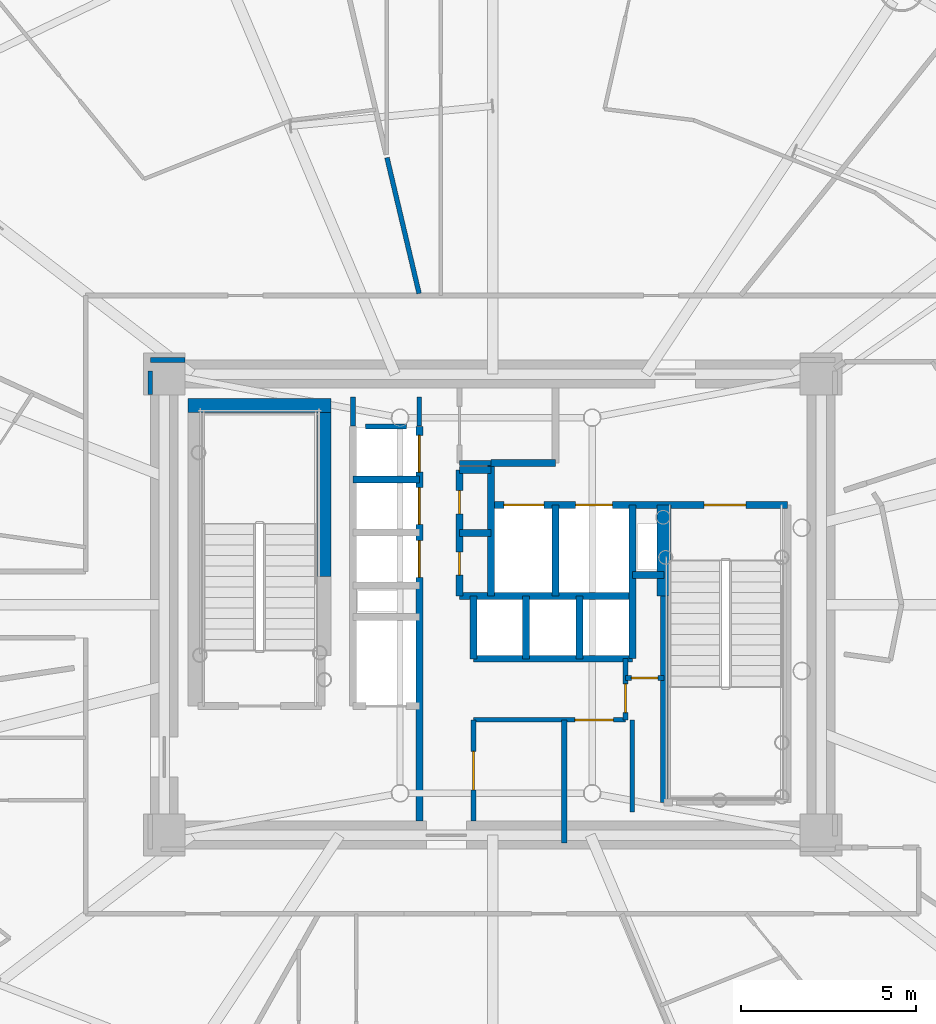
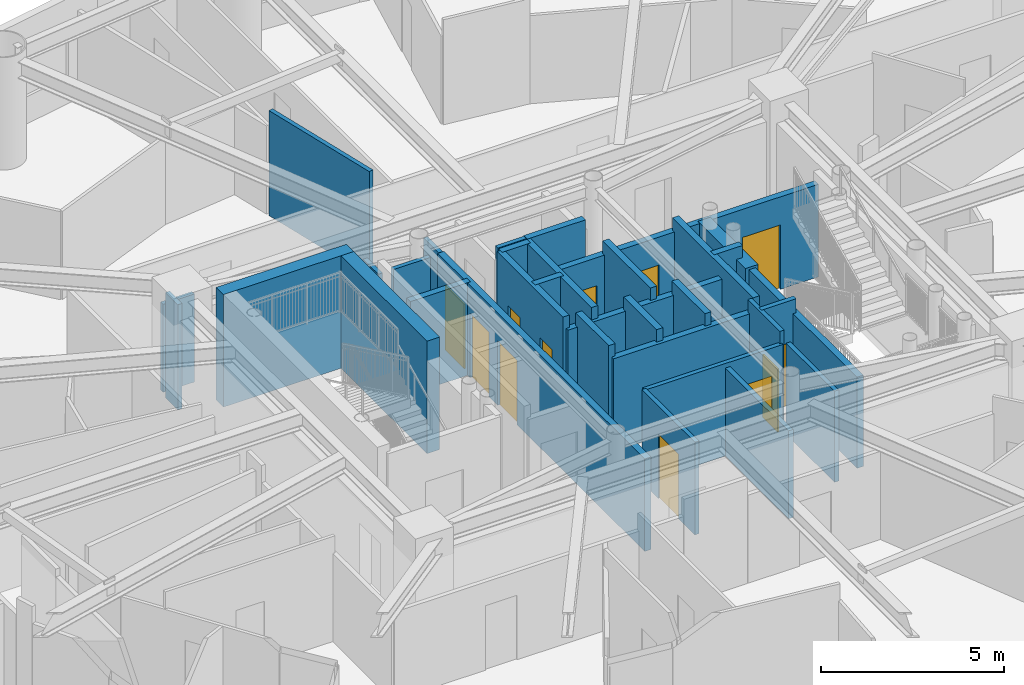
# One storey, part 11 of 21: 33 walls, 12 doors, 12 openings.
"""IFC4 building model written with IfcOpenShell, lengths in metres."""

from ifc_helpers import new_model, si_unit, direction, frame, frame_2d, origin, origin_2d, place, context, subcontext, project, spatial, rectangle, extrude, source, transform, mapped, material, layer, layer_set, type_object, element, fill, save


model = new_model("IFC4")

# Units and contexts
model_context = context("Model", 3, precision=1e-05, world=origin(), true_north=direction((0.0, 1.0)))
body_context = subcontext(model_context, "Body", "Model", "MODEL_VIEW")
ifc_project = project(units=[si_unit("LENGTHUNIT", "METRE"), si_unit("AREAUNIT", "SQUARE_METRE"), si_unit("VOLUMEUNIT", "CUBIC_METRE"), si_unit("PLANEANGLEUNIT", "RADIAN"), si_unit("MASSUNIT", "GRAM", prefix="KILO")], contexts=[model_context])

# Site, building, storey
site_placement = place(None, origin())
site = spatial("IfcSite", under=ifc_project, at=site_placement, CompositionType="ELEMENT")
building_placement = place(site_placement, origin())
building = spatial("IfcBuilding", under=site, at=building_placement, Name="Linh Dai School and Residence Tower", CompositionType="ELEMENT")
storey_placement = place(building_placement, frame((0.0, 0.0, 156.14990234375)))
storey = spatial("IfcBuildingStorey", under=building, at=storey_placement, Name="L37", CompositionType="ELEMENT", Elevation=156.14990234375)

# Walls
ifc_material_1 = material(Name="Autoclaved Aerated Concrete Blockwork", Category="masonry")
ifc_layer_1 = layer(ifc_material_1, 0.135009765625)
ifc_layer_set_1 = layer_set([ifc_layer_1], Name="Autoclaved Aerated Concrete Blockwork")
wall_type_1 = type_object("IfcWallType", Name="IW-CORR-135-EI90", PredefinedType="PARTITIONING", material=ifc_layer_set_1)
wall_1_placement = place(storey_placement, frame((32.975830078125, 39.79248046875, 0.0), z_axis=(0.0, 0.0, 1.0), x_axis=(0.230050705958, -0.973178643769, 0.0)))
element("IfcWall", 1, at=wall_1_placement, inside=storey, type_object=wall_type_1, Name="L37 Interior Partition Wall 043", PredefinedType="PARTITIONING", context=body_context, shape_type="SweptSolid", body=[
    extrude(rectangle(XDim=3.99560546875, YDim=0.135009765625, at=frame_2d((1.997802734375, 0.0))), origin(), (0.0, 0.0, 1.0), 3.5),
])
wall_2_placement = place(storey_placement, frame((35.050048828125, 31.050048828125, 0.0), z_axis=(0.0, 0.0, 1.0), x_axis=(1.0, 0.0, 0.0)))
element("IfcWall", 2, at=wall_2_placement, inside=storey, type_object=wall_type_1, Name="L37 Interior Partition Wall 053", PredefinedType="PARTITIONING", context=body_context, shape_type="SweptSolid", body=[
    extrude(rectangle(XDim=0.89990234375, YDim=0.135009765625, at=frame_2d((0.449951171875, 0.0))), origin(), (0.0, 0.0, 1.0), 3.5),
])

# Wall, opening, door
wall_3_placement = place(storey_placement, frame((35.449951171875, 20.800048828125, 0.0), z_axis=(0.0, 0.0, 1.0), x_axis=(0.0, 1.0, 0.0)))
wall_3 = element("IfcWall", 3, at=wall_3_placement, inside=storey, type_object=wall_type_1, Name="L37 Interior Partition Wall 054", PredefinedType="PARTITIONING", context=body_context, shape_type="SweptSolid", body=[
    extrude(rectangle(XDim=2.89990234375, YDim=0.135009765625, at=frame_2d((1.449951171875, 0.0))), origin(), (0.0, 0.0, 1.0), 3.085205078125),
])
opening_1_placement = place(wall_3_placement, frame((0.89990234375, 0.0, 0.0)))
opening_1 = element("IfcOpeningElement", 4, at=opening_1_placement, cuts=wall_3, Name="Opening D07", PredefinedType="OPENING", context=body_context, shape_type="SweptSolid", body=[
    extrude(rectangle(XDim=1.10009765625, YDim=2.14990234375, at=origin_2d()), frame((0.550048828125, 0.07763671875, 1.074951171875), z_axis=(0.0, -1.0, 0.0), x_axis=(1.0, 0.0, 0.0)), (0.0, 0.0, 1.0), 0.155029296875),
])
ifc_material_2 = material(Name="Fire-Rated Louvred Steel Plant Door", Category="steel")
door_type_1 = type_object("IfcDoorType", Name="DR-PLT-1100x2150-FD60S", OperationType="NOTDEFINED", PredefinedType="DOOR", material=ifc_material_2)
shared_shape_1 = source(origin(), body_context, "Body", "SweptSolid", [
    extrude(rectangle(XDim=1.10009765625, YDim=2.14990234375, at=origin_2d()), frame((0.550048828125, 0.02490234375, 1.074951171875), z_axis=(0.0, -1.0, 0.0), x_axis=(1.0, 0.0, 0.0)), (0.0, 0.0, 1.0), 0.050048828125),
])
door_1_placement = place(opening_1_placement, origin())
door_1 = element("IfcDoor", 5, at=door_1_placement, inside=storey, type_object=door_type_1, Name="L37 Floor Electrical Switchroom Door", OperationType="SINGLE_SWING_RIGHT", OverallHeight=2.14990234375, OverallWidth=1.10009765625, PredefinedType="DOOR", context=body_context, shape_type="MappedRepresentation", body=[
    mapped(shared_shape_1, transform((0.0, 0.0, 0.0), x_axis=(1.0, 0.0, 0.0), y_axis=(0.0, 1.0, 0.0), z_axis=(0.0, 0.0, 1.0), scale=1.0)),
])
fill(opening_1, door_1)

wall_4_placement = place(storey_placement, frame((35.449951171875, 23.699951171875, 0.0), z_axis=(0.0, 0.0, 1.0), x_axis=(1.0, 0.0, 0.0)))
wall_4 = element("IfcWall", 6, at=wall_4_placement, inside=storey, type_object=wall_type_1, Name="L37 Interior Partition Wall 055", PredefinedType="PARTITIONING", context=body_context, shape_type="SweptSolid", body=[
    extrude(rectangle(XDim=4.35009765625, YDim=0.135009765625, at=frame_2d((2.175048828125, 0.0))), origin(), (0.0, 0.0, 1.0), 3.085205078125),
])
opening_2_placement = place(wall_4_placement, frame((2.905029296875, 0.0, 0.0)))
opening_2 = element("IfcOpeningElement", 7, at=opening_2_placement, cuts=wall_4, Name="Opening D07", PredefinedType="OPENING", context=body_context, shape_type="SweptSolid", body=[
    extrude(rectangle(XDim=1.10009765625, YDim=2.14990234375, at=origin_2d()), frame((0.550048828125, 0.07763671875, 1.074951171875), z_axis=(0.0, -1.0, 0.0), x_axis=(1.0, 0.0, 0.0)), (0.0, 0.0, 1.0), 0.155029296875),
])
door_2_placement = place(opening_2_placement, origin())
door_2 = element("IfcDoor", 8, at=door_2_placement, inside=storey, type_object=door_type_1, Name="L37 Telecom Node Room Door", OperationType="SINGLE_SWING_LEFT", OverallHeight=2.14990234375, OverallWidth=1.10009765625, PredefinedType="DOOR", context=body_context, shape_type="MappedRepresentation", body=[
    mapped(shared_shape_1, transform((0.0, 0.0, 0.0), x_axis=(1.0, 0.0, 0.0), y_axis=(0.0, 1.0, 0.0), z_axis=(0.0, 0.0, 1.0), scale=1.0)),
])
fill(opening_2, door_2)

wall_5_placement = place(storey_placement, frame((39.800048828125, 23.699951171875, 0.0), z_axis=(0.0, 0.0, 1.0), x_axis=(0.0, 1.0, 0.0)))
wall_5 = element("IfcWall", 9, at=wall_5_placement, inside=storey, type_object=wall_type_1, Name="L37 Interior Partition Wall 070", PredefinedType="PARTITIONING", context=body_context, shape_type="SweptSolid", body=[
    extrude(rectangle(XDim=1.75, YDim=0.135009765625, at=frame_2d((0.875, 0.0))), origin(), (0.0, 0.0, 1.0), 3.5),
])
opening_3_placement = place(wall_5_placement, frame((0.2099609375, 0.0, 0.0)))
opening_3 = element("IfcOpeningElement", 10, at=opening_3_placement, cuts=wall_5, Name="Opening D06", PredefinedType="OPENING", context=body_context, shape_type="SweptSolid", body=[
    extrude(rectangle(XDim=0.820068359375, YDim=2.10009765625, at=origin_2d()), frame((0.41015625, 0.07763671875, 1.050048828125), z_axis=(0.0, -1.0, 0.0), x_axis=(1.0, 0.0, 0.0)), (0.0, 0.0, 1.0), 0.155029296875),
])
ifc_material_3 = material(Name="Moisture-Resistant Timber Bathroom Door", Category="wood")
door_type_2 = type_object("IfcDoorType", Name="DR-WET-820x2100", OperationType="NOTDEFINED", PredefinedType="DOOR", material=ifc_material_3)
shared_shape_2 = source(origin(), body_context, "Body", "SweptSolid", [
    extrude(rectangle(XDim=0.820068359375, YDim=2.10009765625, at=origin_2d()), frame((0.41015625, 0.02490234375, 1.050048828125), z_axis=(0.0, -1.0, 0.0), x_axis=(1.0, 0.0, 0.0)), (0.0, 0.0, 1.0), 0.050048828125),
])
door_3_placement = place(opening_3_placement, origin())
door_3 = element("IfcDoor", 11, at=door_3_placement, inside=storey, type_object=door_type_2, Name="L37 SE Electrical Closet Door", OperationType="SINGLE_SWING_LEFT", OverallHeight=2.10009765625, OverallWidth=0.820068359375, PredefinedType="DOOR", context=body_context, shape_type="MappedRepresentation", body=[
    mapped(shared_shape_2, transform((0.0, 0.0, 0.0), x_axis=(1.0, 0.0, 0.0), y_axis=(0.0, 1.0, 0.0), z_axis=(0.0, 0.0, 1.0), scale=1.0)),
])
fill(opening_3, door_3)

# Walls
wall_6_placement = place(storey_placement, frame((32.360107421875, 32.10009765625, 0.0), z_axis=(0.0, 0.0, 1.0), x_axis=(1.0, 0.0, 0.0)))
element("IfcWall", 12, at=wall_6_placement, inside=storey, type_object=wall_type_1, Name="L37 Interior Partition Wall 100", PredefinedType="PARTITIONING", context=body_context, shape_type="SweptSolid", body=[
    extrude(rectangle(XDim=1.179931640625, YDim=0.135009765625, at=frame_2d((0.58984375, 0.0))), origin(), (0.0, 0.0, 1.0), 3.085205078125),
])
wall_7_placement = place(storey_placement, frame((40.0, 23.699951171875, 0.0), z_axis=(0.0, 0.0, 1.0), x_axis=(0.0, -1.0, 0.0)))
element("IfcWall", 13, at=wall_7_placement, inside=storey, type_object=wall_type_1, Name="L37 Interior Partition Wall 101", PredefinedType="PARTITIONING", context=body_context, shape_type="SweptSolid", body=[
    extrude(rectangle(XDim=2.639892578125, YDim=0.135009765625, at=frame_2d((1.31982421875, 0.0))), origin(), (0.0, 0.0, 1.0), 3.03515625),
])
wall_8_placement = place(storey_placement, frame((32.0, 32.93994140625, 0.0), z_axis=(0.0, 0.0, 1.0), x_axis=(0.0, -1.0, 0.0)))
element("IfcWall", 14, at=wall_8_placement, inside=storey, type_object=wall_type_1, Name="L37 Interior Partition Wall 102", PredefinedType="PARTITIONING", context=body_context, shape_type="SweptSolid", body=[
    extrude(rectangle(XDim=0.829833984375, YDim=0.135009765625, at=frame_2d((0.4150390625, 0.0))), origin(), (0.0, 0.0, 1.0), 3.03515625),
])
wall_9_placement = place(storey_placement, frame((33.89990234375, 32.110107421875, 0.0), z_axis=(0.0, 0.0, 1.0), x_axis=(0.0, 1.0, 0.0)))
element("IfcWall", 15, at=wall_9_placement, inside=storey, type_object=wall_type_1, Name="L37 Interior Partition Wall 103", PredefinedType="PARTITIONING", context=body_context, shape_type="SweptSolid", body=[
    extrude(rectangle(XDim=0.829833984375, YDim=0.135009765625, at=frame_2d((0.4150390625, 0.0))), origin(), (0.0, 0.0, 1.0), 3.085205078125),
])
wall_10_placement = place(storey_placement, frame((27.18994140625, 34.0, 0.0), z_axis=(0.0, 0.0, 1.0), x_axis=(-1.0, 0.0, 0.0)))
element("IfcWall", 16, at=wall_10_placement, inside=storey, type_object=wall_type_1, Name="L37 Interior Partition Wall 106", PredefinedType="PARTITIONING", context=body_context, shape_type="SweptSolid", body=[
    extrude(rectangle(XDim=0.989990234375, YDim=0.135009765625, at=frame_2d((0.4951171875, 0.0))), origin(), (0.0, 0.0, 1.0), 2.93505859375),
])
wall_11_placement = place(storey_placement, frame((26.199951171875, 33.6923828125, 0.0), z_axis=(0.0, 0.0, 1.0), x_axis=(0.0, -1.0, 0.0)))
element("IfcWall", 17, at=wall_11_placement, inside=storey, type_object=wall_type_1, Name="L37 Interior Partition Wall 107", PredefinedType="PARTITIONING", context=body_context, shape_type="SweptSolid", body=[
    extrude(rectangle(XDim=0.682373046875, YDim=0.135009765625, at=frame_2d((0.34130859375, 0.0))), origin(), (0.0, 0.0, 1.0), 3.5),
])
ifc_layer_2 = layer(ifc_material_1, 0.14990234375)
ifc_layer_set_2 = layer_set([ifc_layer_2], Name="Autoclaved Aerated Concrete Blockwork")
wall_type_2 = type_object("IfcWallType", Name="IW-SCH-150-EI60", PredefinedType="PARTITIONING", material=ifc_layer_set_2)
wall_12_placement = place(storey_placement, frame((38.050048828125, 20.179931640625, 0.0), z_axis=(0.0, 0.0, 1.0), x_axis=(0.0, 1.0, 0.0)))
element("IfcWall", 18, at=wall_12_placement, inside=storey, type_object=wall_type_2, Name="L37 Interior Partition Wall 065", PredefinedType="PARTITIONING", context=body_context, shape_type="SweptSolid", body=[
    extrude(rectangle(XDim=3.52001953125, YDim=0.14990234375, at=frame_2d((1.760009765625, 0.0))), origin(), (0.0, 0.0, 1.0), 2.93505859375),
])

# Wall, opening, door
wall_13_placement = place(storey_placement, frame((39.800048828125, 24.89990234375, 0.0), z_axis=(0.0, 0.0, 1.0), x_axis=(1.0, 0.0, 0.0)))
wall_13 = element("IfcWall", 19, at=wall_13_placement, inside=storey, type_object=wall_type_2, Name="L37 Interior Partition Wall 071", PredefinedType="PARTITIONING", context=body_context, shape_type="SweptSolid", body=[
    extrude(rectangle(XDim=1.099853515625, YDim=0.14990234375, at=frame_2d((0.5498046875, 0.0))), origin(), (0.0, 0.0, 1.0), 3.5),
])
opening_4_placement = place(wall_13_placement, frame((0.169921875, 0.0, 0.0)))
opening_4 = element("IfcOpeningElement", 20, at=opening_4_placement, cuts=wall_13, Name="Opening D08", PredefinedType="OPENING", context=body_context, shape_type="SweptSolid", body=[
    extrude(rectangle(XDim=0.760009765625, YDim=2.10009765625, at=origin_2d()), frame((0.3798828125, 0.0849609375, 1.050048828125), z_axis=(0.0, -1.0, 0.0), x_axis=(1.0, 0.0, 0.0)), (0.0, 0.0, 1.0), 0.169921875),
])
ifc_material_4 = material(Name="Engineered Timber Closet and Study Door", Category="wood")
door_type_3 = type_object("IfcDoorType", Name="DR-CMP-760x2100", OperationType="NOTDEFINED", PredefinedType="DOOR", material=ifc_material_4)
shared_shape_3 = source(origin(), body_context, "Body", "SweptSolid", [
    extrude(rectangle(XDim=0.760009765625, YDim=2.10009765625, at=origin_2d()), frame((0.3798828125, 0.02490234375, 1.050048828125), z_axis=(0.0, -1.0, 0.0), x_axis=(1.0, 0.0, 0.0)), (0.0, 0.0, 1.0), 0.050048828125),
])
door_4_placement = place(opening_4_placement, origin())
door_4 = element("IfcDoor", 21, at=door_4_placement, inside=storey, type_object=door_type_3, Name="L37 NE Equipment Store Door", OperationType="SINGLE_SWING_RIGHT", OverallHeight=2.10009765625, OverallWidth=0.760009765625, PredefinedType="DOOR", context=body_context, shape_type="MappedRepresentation", body=[
    mapped(shared_shape_3, transform((0.0, 0.0, 0.0), x_axis=(1.0, 0.0, 0.0), y_axis=(0.0, 1.0, 0.0), z_axis=(0.0, 0.0, 1.0), scale=1.0)),
])
fill(opening_4, door_4)

# Wall
ifc_material_5 = material(Name="Concrete B45 (C35/45)", Category="concrete")
ifc_layer_3 = layer(ifc_material_5, 0.199951171875)
ifc_layer_set_3 = layer_set([ifc_layer_3], Name="Concrete B45 (C35/45)")
wall_type_3 = type_object("IfcWallType", Name="IW-SHAFT-200-EI120", PredefinedType="PARTITIONING", material=ifc_layer_set_3)
wall_14_placement = place(storey_placement, frame((32.0, 30.580078125, 0.0), z_axis=(0.0, 0.0, 1.0), x_axis=(1.0, 0.0, 0.0)))
element("IfcWall", 22, at=wall_14_placement, inside=storey, type_object=wall_type_3, Name="L37 Interior Partition Wall 041", PredefinedType="PARTITIONING", context=body_context, shape_type="SweptSolid", body=[
    extrude(rectangle(XDim=1.89990234375, YDim=0.199951171875, at=frame_2d((0.949951171875, 0.0))), origin(), (0.0, 0.0, 1.0), 3.085205078125),
])

# Wall, openings, doors
wall_15_placement = place(storey_placement, frame((33.89990234375, 20.800048828125, 0.0), z_axis=(0.0, 0.0, 1.0), x_axis=(0.0, 1.0, 0.0)))
wall_15 = element("IfcWall", 23, at=wall_15_placement, inside=storey, type_object=wall_type_3, Name="L37 Interior Partition Wall 045", PredefinedType="PARTITIONING", context=body_context, shape_type="SweptSolid", body=[
    extrude(rectangle(XDim=11.300048828125, YDim=0.199951171875, at=frame_2d((5.64990234375, 0.0))), origin(), (0.0, 0.0, 1.0), 3.085205078125),
])
opening_5_placement = place(wall_15_placement, frame((6.97998046875, 0.0, 0.0)))
opening_5 = element("IfcOpeningElement", 24, at=opening_5_placement, cuts=wall_15, Name="Opening LD-PL4", PredefinedType="OPENING", context=body_context, shape_type="SweptSolid", body=[
    extrude(rectangle(XDim=1.050048828125, YDim=2.14990234375, at=origin_2d()), frame((0.52490234375, 0.10986328125, 1.074951171875), z_axis=(0.0, -1.0, 0.0), x_axis=(1.0, 0.0, 0.0)), (0.0, 0.0, 1.0), 0.219970703125),
])
opening_6_placement = place(wall_15_placement, frame((8.4951171875, 0.0, 0.0)))
opening_6 = element("IfcOpeningElement", 25, at=opening_6_placement, cuts=wall_15, Name="Opening LD-PL5", PredefinedType="OPENING", context=body_context, shape_type="SweptSolid", body=[
    extrude(rectangle(XDim=1.050048828125, YDim=2.14990234375, at=origin_2d()), frame((0.52490234375, 0.10986328125, 1.074951171875), z_axis=(0.0, -1.0, 0.0), x_axis=(1.0, 0.0, 0.0)), (0.0, 0.0, 1.0), 0.219970703125),
])
opening_7_placement = place(wall_15_placement, frame((9.9951171875, 0.0, 0.0)))
opening_7 = element("IfcOpeningElement", 26, at=opening_7_placement, cuts=wall_15, Name="Opening LD-PL6", PredefinedType="OPENING", context=body_context, shape_type="SweptSolid", body=[
    extrude(rectangle(XDim=1.050048828125, YDim=2.14990234375, at=origin_2d()), frame((0.52490234375, 0.10986328125, 1.074951171875), z_axis=(0.0, -1.0, 0.0), x_axis=(1.0, 0.0, 0.0)), (0.0, 0.0, 1.0), 0.219970703125),
])
ifc_material_6 = material(Name="Brushed Stainless Steel Lift Landing Door", Category="steel")
door_type_4 = type_object("IfcDoorType", Name="DR-LD-PASS-1050x2150", OperationType="DOUBLE_DOOR_SLIDING", PredefinedType="USERDEFINED", material=ifc_material_6)
shared_shape_4 = source(origin(), body_context, "Body", "SweptSolid", [
    extrude(rectangle(XDim=1.050048828125, YDim=2.14990234375, at=origin_2d()), frame((0.52490234375, 0.02490234375, 1.074951171875), z_axis=(0.0, -1.0, 0.0), x_axis=(1.0, 0.0, 0.0)), (0.0, 0.0, 1.0), 0.050048828125),
])
door_5_placement = place(opening_5_placement, origin())
door_5 = element("IfcDoor", 27, at=door_5_placement, inside=storey, type_object=door_type_4, Name="L37 Lift PL4 Sliding Landing Door", ObjectType="LANDING DOOR", OperationType="DOUBLE_DOOR_SLIDING", OverallHeight=2.14990234375, OverallWidth=1.050048828125, PredefinedType="USERDEFINED", context=body_context, shape_type="MappedRepresentation", body=[
    mapped(shared_shape_4, transform((0.0, 0.0, 0.0), x_axis=(1.0, 0.0, 0.0), y_axis=(0.0, 1.0, 0.0), z_axis=(0.0, 0.0, 1.0), scale=1.0)),
])
fill(opening_5, door_5)
door_6_placement = place(opening_6_placement, origin())
door_6 = element("IfcDoor", 28, at=door_6_placement, inside=storey, type_object=door_type_4, Name="L37 Lift PL5 Sliding Landing Door", ObjectType="LANDING DOOR", OperationType="DOUBLE_DOOR_SLIDING", OverallHeight=2.14990234375, OverallWidth=1.050048828125, PredefinedType="USERDEFINED", context=body_context, shape_type="MappedRepresentation", body=[
    mapped(shared_shape_4, transform((0.0, 0.0, 0.0), x_axis=(1.0, 0.0, 0.0), y_axis=(0.0, 1.0, 0.0), z_axis=(0.0, 0.0, 1.0), scale=1.0)),
])
fill(opening_6, door_6)
door_7_placement = place(opening_7_placement, origin())
door_7 = element("IfcDoor", 29, at=door_7_placement, inside=storey, type_object=door_type_4, Name="L37 Lift PL6 Sliding Landing Door", ObjectType="LANDING DOOR", OperationType="DOUBLE_DOOR_SLIDING", OverallHeight=2.14990234375, OverallWidth=1.050048828125, PredefinedType="USERDEFINED", context=body_context, shape_type="MappedRepresentation", body=[
    mapped(shared_shape_4, transform((0.0, 0.0, 0.0), x_axis=(1.0, 0.0, 0.0), y_axis=(0.0, 1.0, 0.0), z_axis=(0.0, 0.0, 1.0), scale=1.0)),
])
fill(opening_7, door_7)

wall_16_placement = place(storey_placement, frame((35.050048828125, 27.25, 0.0), z_axis=(0.0, 0.0, 1.0), x_axis=(0.0, 1.0, 0.0)))
wall_16 = element("IfcWall", 30, at=wall_16_placement, inside=storey, type_object=wall_type_3, Name="L37 Interior Partition Wall 048", PredefinedType="PARTITIONING", context=body_context, shape_type="SweptSolid", body=[
    extrude(rectangle(XDim=3.60009765625, YDim=0.199951171875, at=frame_2d((1.800048828125, 0.0))), origin(), (0.0, 0.0, 1.0), 3.5),
])
opening_8_placement = place(wall_16_placement, frame((0.590087890625, 0.0, 0.0)))
opening_8 = element("IfcOpeningElement", 31, at=opening_8_placement, cuts=wall_16, Name="Opening AD1", PredefinedType="OPENING", context=body_context, shape_type="SweptSolid", body=[
    extrude(rectangle(XDim=0.659912109375, YDim=2.050048828125, at=origin_2d()), frame((0.330078125, 0.10986328125, 1.02490234375), z_axis=(0.0, -1.0, 0.0), x_axis=(1.0, 0.0, 0.0)), (0.0, 0.0, 1.0), 0.219970703125),
])
opening_9_placement = place(wall_16_placement, frame((2.35009765625, 0.0, 0.0)))
opening_9 = element("IfcOpeningElement", 32, at=opening_9_placement, cuts=wall_16, Name="Opening AD1", PredefinedType="OPENING", context=body_context, shape_type="SweptSolid", body=[
    extrude(rectangle(XDim=0.659912109375, YDim=2.050048828125, at=origin_2d()), frame((0.330078125, 0.10986328125, 1.02490234375), z_axis=(0.0, -1.0, 0.0), x_axis=(1.0, 0.0, 0.0)), (0.0, 0.0, 1.0), 0.219970703125),
])
ifc_material_7 = material(Name="Fire-Rated Steel Riser Access Door", Category="steel")
door_type_5 = type_object("IfcDoorType", Name="DR-ACC-660x2050-FD90S", OperationType="NOTDEFINED", PredefinedType="USERDEFINED", material=ifc_material_7)
shared_shape_5 = source(origin(), body_context, "Body", "SweptSolid", [
    extrude(rectangle(XDim=0.659912109375, YDim=2.050048828125, at=origin_2d()), frame((0.330078125, 0.02490234375, 1.02490234375), z_axis=(0.0, -1.0, 0.0), x_axis=(1.0, 0.0, 0.0)), (0.0, 0.0, 1.0), 0.050048828125),
])
door_8_placement = place(opening_8_placement, origin())
door_8 = element("IfcDoor", 33, at=door_8_placement, inside=storey, type_object=door_type_5, Name="L37 Telecom and Data Riser Access Door", ObjectType="ACCESS DOOR", OperationType="SINGLE_SWING_RIGHT", OverallHeight=2.050048828125, OverallWidth=0.659912109375, PredefinedType="USERDEFINED", context=body_context, shape_type="MappedRepresentation", body=[
    mapped(shared_shape_5, transform((0.0, 0.0, 0.0), x_axis=(1.0, 0.0, 0.0), y_axis=(0.0, 1.0, 0.0), z_axis=(0.0, 0.0, 1.0), scale=1.0)),
])
fill(opening_8, door_8)
door_9_placement = place(opening_9_placement, origin())
door_9 = element("IfcDoor", 34, at=door_9_placement, inside=storey, type_object=door_type_5, Name="L37 Mechanical and Plumbing Riser Access Door", ObjectType="ACCESS DOOR", OperationType="SINGLE_SWING_LEFT", OverallHeight=2.050048828125, OverallWidth=0.659912109375, PredefinedType="USERDEFINED", context=body_context, shape_type="MappedRepresentation", body=[
    mapped(shared_shape_5, transform((0.0, 0.0, 0.0), x_axis=(1.0, 0.0, 0.0), y_axis=(0.0, 1.0, 0.0), z_axis=(0.0, 0.0, 1.0), scale=1.0)),
])
fill(opening_9, door_9)

# Walls
wall_17_placement = place(storey_placement, frame((35.050048828125, 27.25, 0.0), z_axis=(0.0, 0.0, 1.0), x_axis=(1.0, 0.0, 0.0)))
element("IfcWall", 35, at=wall_17_placement, inside=storey, type_object=wall_type_3, Name="L37 Interior Partition Wall 049", PredefinedType="PARTITIONING", context=body_context, shape_type="SweptSolid", body=[
    extrude(rectangle(XDim=4.949951171875, YDim=0.199951171875, at=frame_2d((2.47509765625, 0.0))), origin(), (0.0, 0.0, 1.0), 3.085205078125),
])
for number, where, z_axis, x_axis, name in (
    (36, (35.050048828125, 29.050048828125, 0.0), (0.0, 0.0, 1.0), (1.0, 0.0, 0.0), "L37 Interior Partition Wall 050"),
    (37, (35.050048828125, 30.85009765625, 0.0), (0.0, 0.0, 1.0), (1.0, 0.0, 0.0), "L37 Interior Partition Wall 051"),
):
    element("IfcWall", number, at=place(storey_placement, frame(where, z_axis=z_axis, x_axis=x_axis)), inside=storey, type_object=wall_type_3, Name=name, PredefinedType="PARTITIONING", context=body_context, shape_type="SweptSolid", body=[
        extrude(rectangle(XDim=0.89990234375, YDim=0.199951171875, at=frame_2d((0.449951171875, 0.0))), origin(), (0.0, 0.0, 1.0), 3.5),
    ])
wall_18_placement = place(storey_placement, frame((35.449951171875, 25.449951171875, 0.0), z_axis=(0.0, 0.0, 1.0), x_axis=(0.0, 1.0, 0.0)))
element("IfcWall", 38, at=wall_18_placement, inside=storey, type_object=wall_type_3, Name="L37 Interior Partition Wall 056", PredefinedType="PARTITIONING", context=body_context, shape_type="SweptSolid", body=[
    extrude(rectangle(XDim=1.800048828125, YDim=0.199951171875, at=frame_2d((0.89990234375, 0.0))), origin(), (0.0, 0.0, 1.0), 3.5),
])
wall_19_placement = place(storey_placement, frame((35.449951171875, 25.449951171875, 0.0), z_axis=(0.0, 0.0, 1.0), x_axis=(1.0, 0.0, 0.0)))
element("IfcWall", 39, at=wall_19_placement, inside=storey, type_object=wall_type_3, Name="L37 Interior Partition Wall 057", PredefinedType="PARTITIONING", context=body_context, shape_type="SweptSolid", body=[
    extrude(rectangle(XDim=4.550048828125, YDim=0.199951171875, at=frame_2d((2.27490234375, 0.0))), origin(), (0.0, 0.0, 1.0), 3.085205078125),
])
wall_20_placement = place(storey_placement, frame((35.949951171875, 27.25, 0.0), z_axis=(0.0, 0.0, 1.0), x_axis=(0.0, 1.0, 0.0)))
element("IfcWall", 40, at=wall_20_placement, inside=storey, type_object=wall_type_3, Name="L37 Interior Partition Wall 059", PredefinedType="PARTITIONING", context=body_context, shape_type="SweptSolid", body=[
    extrude(rectangle(XDim=3.800048828125, YDim=0.199951171875, at=frame_2d((1.89990234375, 0.0))), origin(), (0.0, 0.0, 1.0), 3.5),
])

# Wall, openings, doors
wall_21_placement = place(storey_placement, frame((35.949951171875, 29.85009765625, 0.0), z_axis=(0.0, 0.0, 1.0), x_axis=(1.0, 0.0, 0.0)))
wall_21 = element("IfcWall", 41, at=wall_21_placement, inside=storey, type_object=wall_type_3, Name="L37 Interior Partition Wall 060", PredefinedType="PARTITIONING", context=body_context, shape_type="SweptSolid", body=[
    extrude(rectangle(XDim=8.489990234375, YDim=0.199951171875, at=frame_2d((4.2451171875, 0.0))), origin(), (0.0, 0.0, 1.0), 3.085205078125),
])
opening_10_placement = place(wall_21_placement, frame((6.10009765625, 0.0, 0.0)))
opening_10 = element("IfcOpeningElement", 42, at=opening_10_placement, cuts=wall_21, Name="Opening D01", PredefinedType="OPENING", context=body_context, shape_type="SweptSolid", body=[
    extrude(rectangle(XDim=1.199951171875, YDim=2.14990234375, at=origin_2d()), frame((0.60009765625, 0.10986328125, 1.074951171875), z_axis=(0.0, -1.0, 0.0), x_axis=(1.0, 0.0, 0.0)), (0.0, 0.0, 1.0), 0.219970703125),
])
opening_11_placement = place(wall_21_placement, frame((0.3701171875, 0.0, 0.0)))
opening_11 = element("IfcOpeningElement", 43, at=opening_11_placement, cuts=wall_21, Name="Opening LD-FF1", PredefinedType="OPENING", context=body_context, shape_type="SweptSolid", body=[
    extrude(rectangle(XDim=1.14990234375, YDim=2.14990234375, at=origin_2d()), frame((0.574951171875, 0.10986328125, 1.074951171875), z_axis=(0.0, -1.0, 0.0), x_axis=(1.0, 0.0, 0.0)), (0.0, 0.0, 1.0), 0.219970703125),
])
opening_12_placement = place(wall_21_placement, frame((2.425048828125, 0.0, 0.0)))
opening_12 = element("IfcOpeningElement", 44, at=opening_12_placement, cuts=wall_21, Name="Opening LD-SV1", PredefinedType="OPENING", context=body_context, shape_type="SweptSolid", body=[
    extrude(rectangle(XDim=1.050048828125, YDim=2.14990234375, at=origin_2d()), frame((0.52490234375, 0.10986328125, 1.074951171875), z_axis=(0.0, -1.0, 0.0), x_axis=(1.0, 0.0, 0.0)), (0.0, 0.0, 1.0), 0.219970703125),
])
ifc_material_8 = material(Name="Fire-Rated Steel Door Leaf", Category="steel")
door_type_6 = type_object("IfcDoorType", Name="DR-STAIR-1200x2150-FD90S", OperationType="NOTDEFINED", PredefinedType="DOOR", material=ifc_material_8)
shared_shape_6 = source(origin(), body_context, "Body", "SweptSolid", [
    extrude(rectangle(XDim=1.199951171875, YDim=2.14990234375, at=origin_2d()), frame((0.60009765625, 0.02490234375, 1.074951171875), z_axis=(0.0, -1.0, 0.0), x_axis=(1.0, 0.0, 0.0)), (0.0, 0.0, 1.0), 0.050048828125),
])
door_10_placement = place(opening_10_placement, origin())
door_10 = element("IfcDoor", 45, at=door_10_placement, inside=storey, type_object=door_type_6, Name="L37 Core Smokeproof Exit Stair ST2 Door", OperationType="SINGLE_SWING_RIGHT", OverallHeight=2.14990234375, OverallWidth=1.199951171875, PredefinedType="DOOR", context=body_context, shape_type="MappedRepresentation", body=[
    mapped(shared_shape_6, transform((0.0, 0.0, 0.0), x_axis=(1.0, 0.0, 0.0), y_axis=(0.0, 1.0, 0.0), z_axis=(0.0, 0.0, 1.0), scale=1.0)),
])
fill(opening_10, door_10)
ifc_material_9 = material(Name="Fire-Rated Stainless Steel Firefighting Lift Door", Category="steel")
door_type_7 = type_object("IfcDoorType", Name="DR-LD-FF-1150x2150-FD120", OperationType="DOUBLE_DOOR_SLIDING", PredefinedType="USERDEFINED", material=ifc_material_9)
shared_shape_7 = source(origin(), body_context, "Body", "SweptSolid", [
    extrude(rectangle(XDim=1.14990234375, YDim=2.14990234375, at=origin_2d()), frame((0.574951171875, 0.02490234375, 1.074951171875), z_axis=(0.0, -1.0, 0.0), x_axis=(1.0, 0.0, 0.0)), (0.0, 0.0, 1.0), 0.050048828125),
])
door_11_placement = place(opening_11_placement, origin())
door_11 = element("IfcDoor", 46, at=door_11_placement, inside=storey, type_object=door_type_7, Name="L37 Lift FF1 Sliding Landing Door", ObjectType="LANDING DOOR", OperationType="DOUBLE_DOOR_SLIDING", OverallHeight=2.14990234375, OverallWidth=1.14990234375, PredefinedType="USERDEFINED", context=body_context, shape_type="MappedRepresentation", body=[
    mapped(shared_shape_7, transform((0.0, 0.0, 0.0), x_axis=(1.0, 0.0, 0.0), y_axis=(0.0, 1.0, 0.0), z_axis=(0.0, 0.0, 1.0), scale=1.0)),
])
fill(opening_11, door_11)
door_12_placement = place(opening_12_placement, origin())
door_12 = element("IfcDoor", 47, at=door_12_placement, inside=storey, type_object=door_type_4, Name="L37 Lift SV1 Sliding Landing Door", ObjectType="LANDING DOOR", OperationType="DOUBLE_DOOR_SLIDING", OverallHeight=2.14990234375, OverallWidth=1.050048828125, PredefinedType="USERDEFINED", context=body_context, shape_type="MappedRepresentation", body=[
    mapped(shared_shape_4, transform((0.0, 0.0, 0.0), x_axis=(1.0, 0.0, 0.0), y_axis=(0.0, 1.0, 0.0), z_axis=(0.0, 0.0, 1.0), scale=1.0)),
])
fill(opening_12, door_12)

# Walls
wall_22_placement = place(storey_placement, frame((35.9599609375, 31.050048828125, 0.0), z_axis=(0.0, 0.0, 1.0), x_axis=(1.0, 0.0, 0.0)))
element("IfcWall", 48, at=wall_22_placement, inside=storey, type_object=wall_type_3, Name="L37 Interior Partition Wall 061", PredefinedType="PARTITIONING", context=body_context, shape_type="SweptSolid", body=[
    extrude(rectangle(XDim=1.840087890625, YDim=0.199951171875, at=frame_2d((0.919921875, 0.0))), origin(), (0.0, 0.0, 1.0), 3.5),
])
wall_23_placement = place(storey_placement, frame((36.9599609375, 25.449951171875, 0.0), z_axis=(0.0, 0.0, 1.0), x_axis=(0.0, 1.0, 0.0)))
element("IfcWall", 49, at=wall_23_placement, inside=storey, type_object=wall_type_3, Name="L37 Interior Partition Wall 062", PredefinedType="PARTITIONING", context=body_context, shape_type="SweptSolid", body=[
    extrude(rectangle(XDim=1.800048828125, YDim=0.199951171875, at=frame_2d((0.89990234375, 0.0))), origin(), (0.0, 0.0, 1.0), 3.5),
])
wall_24_placement = place(storey_placement, frame((37.800048828125, 27.25, 0.0), z_axis=(0.0, 0.0, 1.0), x_axis=(0.0, 1.0, 0.0)))
element("IfcWall", 50, at=wall_24_placement, inside=storey, type_object=wall_type_3, Name="L37 Interior Partition Wall 063", PredefinedType="PARTITIONING", context=body_context, shape_type="SweptSolid", body=[
    extrude(rectangle(XDim=2.60009765625, YDim=0.199951171875, at=frame_2d((1.300048828125, 0.0))), origin(), (0.0, 0.0, 1.0), 3.5),
])
wall_25_placement = place(storey_placement, frame((38.47998046875, 25.449951171875, 0.0), z_axis=(0.0, 0.0, 1.0), x_axis=(0.0, 1.0, 0.0)))
element("IfcWall", 51, at=wall_25_placement, inside=storey, type_object=wall_type_3, Name="L37 Interior Partition Wall 066", PredefinedType="PARTITIONING", context=body_context, shape_type="SweptSolid", body=[
    extrude(rectangle(XDim=1.800048828125, YDim=0.199951171875, at=frame_2d((0.89990234375, 0.0))), origin(), (0.0, 0.0, 1.0), 3.5),
])
wall_26_placement = place(storey_placement, frame((40.0, 25.449951171875, 0.0), z_axis=(0.0, 0.0, 1.0), x_axis=(0.0, 1.0, 0.0)))
element("IfcWall", 52, at=wall_26_placement, inside=storey, type_object=wall_type_3, Name="L37 Interior Partition Wall 072", PredefinedType="PARTITIONING", context=body_context, shape_type="SweptSolid", body=[
    extrude(rectangle(XDim=4.400146484375, YDim=0.199951171875, at=frame_2d((2.2001953125, 0.0))), origin(), (0.0, 0.0, 1.0), 3.5),
])
wall_27_placement = place(storey_placement, frame((40.0, 27.85009765625, 0.0), z_axis=(0.0, 0.0, 1.0), x_axis=(1.0, 0.0, 0.0)))
element("IfcWall", 53, at=wall_27_placement, inside=storey, type_object=wall_type_3, Name="L37 Interior Partition Wall 073", PredefinedType="PARTITIONING", context=body_context, shape_type="SweptSolid", body=[
    extrude(rectangle(XDim=0.89990234375, YDim=0.199951171875, at=frame_2d((0.449951171875, 0.0))), origin(), (0.0, 0.0, 1.0), 3.5),
])
wall_28_placement = place(storey_placement, frame((40.89990234375, 21.330078125, 0.0), z_axis=(0.0, 0.0, 1.0), x_axis=(0.0, 1.0, 0.0)))
element("IfcWall", 54, at=wall_28_placement, inside=storey, type_object=wall_type_3, Name="L37 Interior Partition Wall 075", PredefinedType="PARTITIONING", context=body_context, shape_type="SweptSolid", body=[
    extrude(rectangle(XDim=5.909912109375, YDim=0.199951171875, at=frame_2d((2.955078125, 0.0))), origin(), (0.0, 0.0, 1.0), 3.03515625),
])
ifc_layer_4 = layer(ifc_material_5, 0.39990234375)
ifc_layer_set_4 = layer_set([ifc_layer_4], Name="Concrete B45 (C35/45)")
wall_type_4 = type_object("IfcWallType", Name="WL-CORE400", PredefinedType="SHEAR", material=ifc_layer_set_4)
wall_29_placement = place(storey_placement, frame((31.179931640625, 27.800048828125, 0.0), z_axis=(0.0, 0.0, 1.0), x_axis=(0.0, 1.0, 0.0)))
element("IfcWall", 55, at=wall_29_placement, inside=storey, type_object=wall_type_4, Name="L37 Core Stair ST1 Bearing Wall E", PredefinedType="SHEAR", context=body_context, shape_type="SweptSolid", body=[
    extrude(rectangle(XDim=4.89990234375, YDim=0.39990234375, at=frame_2d((2.449951171875, 0.0))), origin(), (0.0, 0.0, 1.0), 3.75),
])
wall_30_placement = place(storey_placement, frame((27.280029296875, 32.699951171875, 0.0), z_axis=(0.0, 0.0, 1.0), x_axis=(1.0, 0.0, 0.0)))
element("IfcWall", 56, at=wall_30_placement, inside=storey, type_object=wall_type_4, Name="L37 Core Stair ST1 Bearing Wall N", PredefinedType="SHEAR", context=body_context, shape_type="SweptSolid", body=[
    extrude(rectangle(XDim=4.099853515625, YDim=0.39990234375, at=frame_2d((2.0498046875, 0.0))), origin(), (0.0, 0.0, 1.0), 3.75),
])
wall_31_placement = place(storey_placement, frame((40.89990234375, 27.25, 0.0), z_axis=(0.0, 0.0, 1.0), x_axis=(0.0, 1.0, 0.0)))
element("IfcWall", 57, at=wall_31_placement, inside=storey, type_object=wall_type_4, Name="L37 Internal Core Shear Wall IE", PredefinedType="SHEAR", context=body_context, shape_type="SweptSolid", body=[
    extrude(rectangle(XDim=2.60009765625, YDim=0.39990234375, at=frame_2d((1.300048828125, 0.0))), origin(), (0.0, 0.0, 1.0), 3.10009765625),
])

save(model, "model.ifc")
